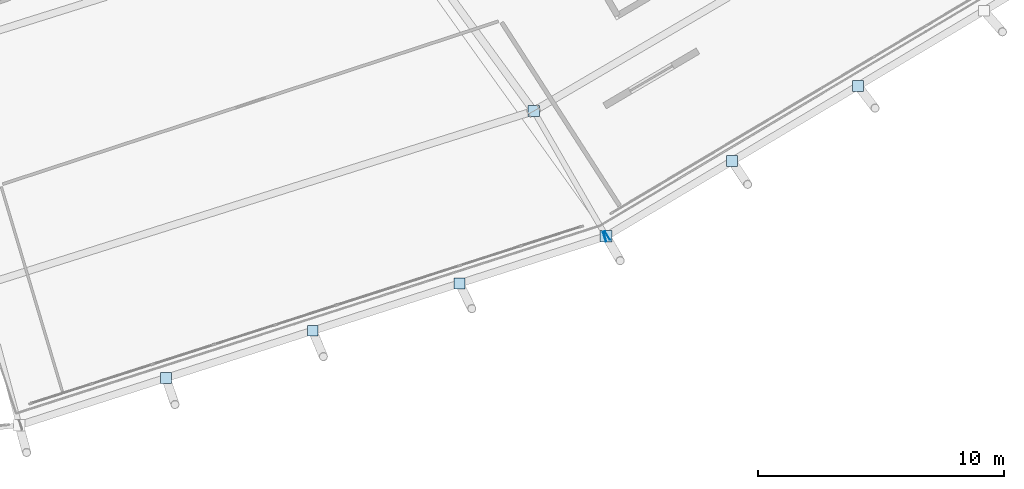
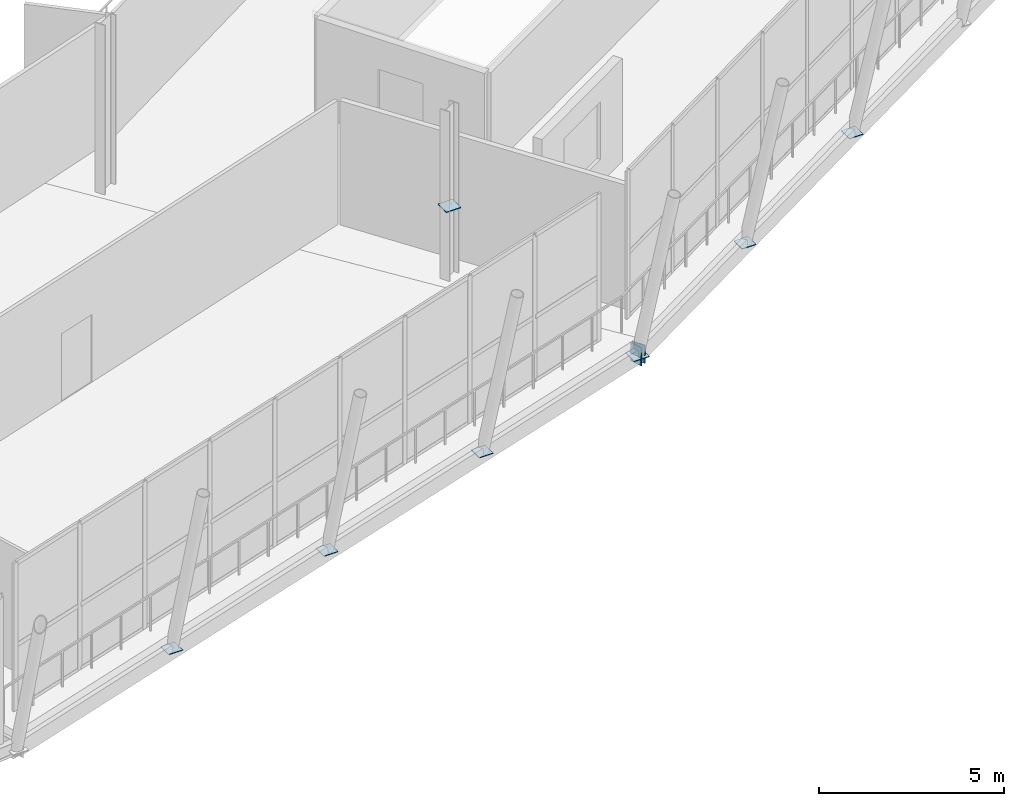
# One storey, part 70 of 99: 9 plates.
"""IFC4 building model written with IfcOpenShell, lengths in metres."""

from ifc_helpers import new_model, si_unit, direction, frame, origin, origin_2d, place, context, subcontext, project, spatial, rectangle, extrude, material, layer, layer_set, type_object, element, save


model = new_model("IFC4")

# Units and contexts
model_context = context("Model", 3, precision=1e-05, world=origin(), true_north=direction((0.0, 1.0)))
body_context = subcontext(model_context, "Body", "Model", "MODEL_VIEW")
ifc_project = project(units=[si_unit("LENGTHUNIT", "METRE"), si_unit("AREAUNIT", "SQUARE_METRE"), si_unit("VOLUMEUNIT", "CUBIC_METRE"), si_unit("PLANEANGLEUNIT", "RADIAN"), si_unit("MASSUNIT", "GRAM", prefix="KILO")], contexts=[model_context])

# Site, building, storey
site_placement = place(None, origin())
site = spatial("IfcSite", under=ifc_project, at=site_placement, CompositionType="ELEMENT")
building_placement = place(site_placement, origin())
building = spatial("IfcBuilding", under=site, at=building_placement, Name="Zlatoyarsky Gate Stadium", CompositionType="ELEMENT")
storey_placement = place(building_placement, frame((0.0, 0.0, 26.199951171875)))
storey = spatial("IfcBuildingStorey", under=building, at=storey_placement, Name="L05", CompositionType="ELEMENT", Elevation=26.199951171875)

# Plates
ifc_material = material(Name="Steel S355", Category="steel")
ifc_layer = layer(ifc_material, 0.02392578125)
ifc_layer_set = layer_set([ifc_layer], Name="Steel S355")
plate_type = type_object("IfcPlateType", Name="STEEL HOLLOW CHORD SPLICE SHEET 24", PredefinedType="SHEET", material=ifc_layer_set)
for number, where, z_axis, x_axis, name in (
    (1, (160.382080078125, 13.4033203125, -0.81005859375), (0.0, 0.0, 1.0), (0.951856313904, 0.306544544365, 0.0), "Hollow end cap ND-SP1 CAP-L05-SPD-19 B"),
    (2, (160.490478515625, 13.452392578125, -0.81005859375), (0.0, 0.0, 1.0), (0.858777552781, 0.51234862627, 0.0), "Hollow end cap ND-SP1 CAP-L05-SPD-20 A"),
):
    element("IfcPlate", number, at=place(storey_placement, frame(where, z_axis=z_axis, x_axis=x_axis)), inside=storey, type_object=plate_type, Name=name, PredefinedType="SHEET", context=body_context, shape_type="SweptSolid", body=[
        extrude(rectangle(XDim=0.02392578125, YDim=0.39990234375, at=origin_2d()), origin(), (0.0, 0.0, 1.0), 0.60009765625),
    ])
plate_1_placement = place(storey_placement, frame((160.439208984375, 13.421630859375, -0.572021484375), z_axis=(0.0, 0.0, 1.0), x_axis=(1.0, 0.0, 0.0)))
element("IfcPlate", 3, at=plate_1_placement, inside=storey, type_object=plate_type, Name="Node closure plate ND-SP1 NCAP-L05-RSTR-20", PredefinedType="SHEET", context=body_context, shape_type="SweptSolid", body=[
    extrude(rectangle(XDim=0.47998046875, YDim=0.47998046875, at=origin_2d()), origin(), (0.0, 0.0, 1.0), 0.02392578125),
])
for number, where, z_axis, x_axis, name in (
    (4, (142.553466796875, 7.66162109375, -0.52197265625), (0.0, 0.0, 1.0), (1.0, 0.0, 0.0), "Node closure plate ND-SP1 NCAP-RIB-19-1-3T"),
    (5, (148.515380859375, 9.58154296875, -0.52197265625), (0.0, 0.0, 1.0), (1.0, 0.0, 0.0), "Node closure plate ND-SP1 NCAP-RIB-19-2-3T"),
    (6, (154.477294921875, 11.501708984375, -0.52197265625), (0.0, 0.0, 1.0), (1.0, 0.0, 0.0), "Node closure plate ND-SP1 NCAP-RIB-19-3-3T"),
    (7, (165.55859375, 16.47607421875, -0.52197265625), (0.0, 0.0, 1.0), (1.0, 0.0, 0.0), "Node closure plate ND-SP1 NCAP-RIB-20-1-3T"),
    (8, (170.67822265625, 19.5302734375, -0.52197265625), (0.0, 0.0, 1.0), (1.0, 0.0, 0.0), "Node closure plate ND-SP1 NCAP-RIB-20-2-3T"),
):
    element("IfcPlate", number, at=place(storey_placement, frame(where, z_axis=z_axis, x_axis=x_axis)), inside=storey, type_object=plate_type, Name=name, PredefinedType="SHEET", context=body_context, shape_type="SweptSolid", body=[
        extrude(rectangle(XDim=0.43994140625, YDim=0.43994140625, at=origin_2d()), origin(), (0.0, 0.0, 1.0), 0.02392578125),
    ])
plate_2_placement = place(storey_placement, frame((157.5, 18.51220703125, 2.2880859375), z_axis=(0.0, 0.0, 1.0), x_axis=(1.0, 0.0, 0.0)))
element("IfcPlate", 9, at=plate_2_placement, inside=storey, type_object=plate_type, Name="Node closure plate ND-SP1 NCAP-BPROP-20", PredefinedType="SHEET", context=body_context, shape_type="SweptSolid", body=[
    extrude(rectangle(XDim=0.4599609375, YDim=0.4599609375, at=origin_2d()), origin(), (0.0, 0.0, 1.0), 0.02392578125),
])

save(model, "model.ifc")
